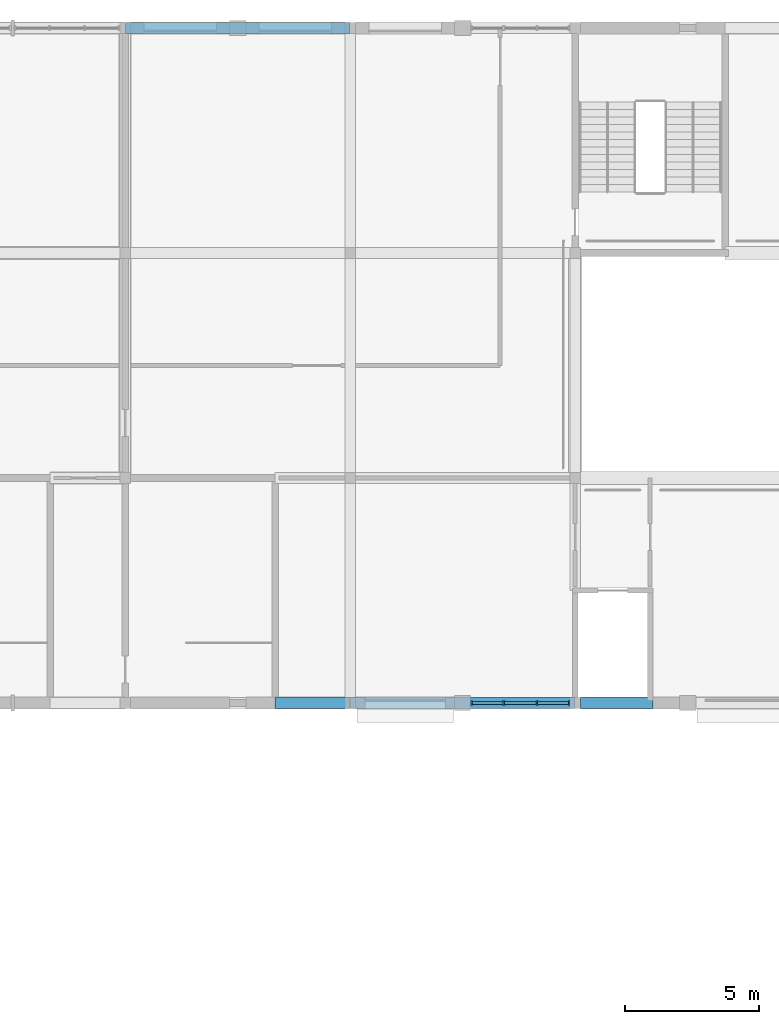
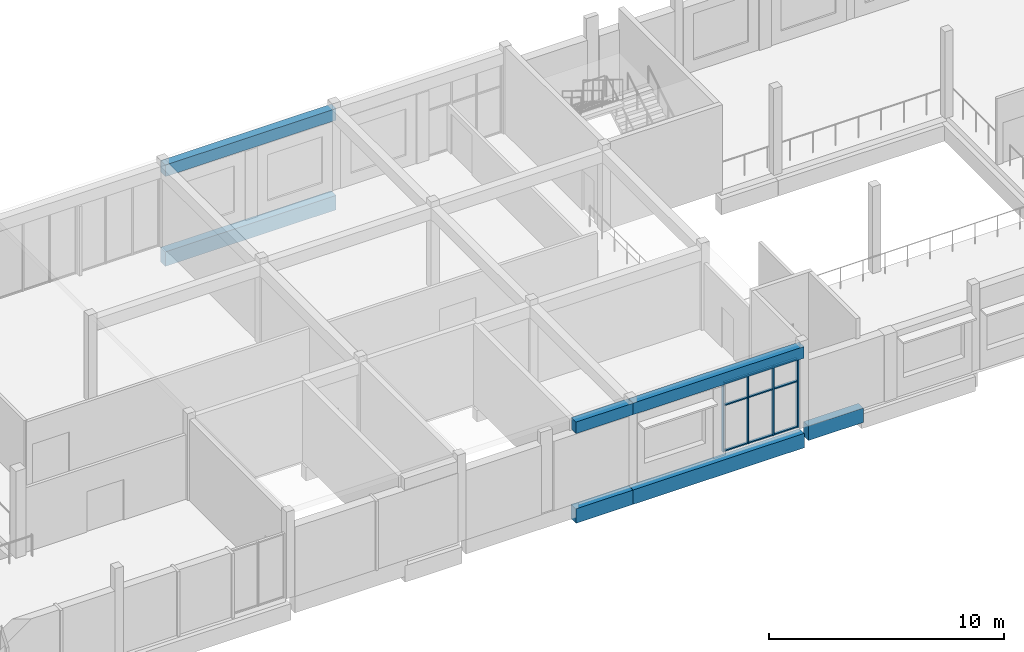
# One storey, part 13 of 38: 13 members, 7 beams, 1 element without a shape of its own.
"""IFC4 building model written with IfcOpenShell, lengths in metres."""

from ifc_helpers import new_model, si_unit, direction, frame, origin, origin_2d, place, context, subcontext, project, spatial, rectangle, extrude, material, material_profile, profile_set, type_object, element, aggregate, save


model = new_model("IFC4")

# Units and contexts
model_context = context("Model", 3, precision=1e-05, world=origin(), true_north=direction((0.0, 1.0)))
body_context = subcontext(model_context, "Body", "Model", "MODEL_VIEW")
ifc_project = project(units=[si_unit("LENGTHUNIT", "METRE"), si_unit("AREAUNIT", "SQUARE_METRE"), si_unit("VOLUMEUNIT", "CUBIC_METRE"), si_unit("PLANEANGLEUNIT", "RADIAN"), si_unit("MASSUNIT", "GRAM", prefix="KILO")], contexts=[model_context])

# Site, building, storey
site_placement = place(None, origin())
site = spatial("IfcSite", under=ifc_project, at=site_placement, CompositionType="ELEMENT")
building_placement = place(site_placement, origin())
building = spatial("IfcBuilding", under=site, at=building_placement, Name="Fescue Hill Polytechnic", CompositionType="ELEMENT")
storey_placement = place(building_placement, frame((0.0, 0.0, 18.0)))
storey = spatial("IfcBuildingStorey", under=building, at=storey_placement, Name="L04", CompositionType="ELEMENT", Elevation=18.0)

# Beams
ifc_material_1 = material(Name="Concrete 35 MPa", Category="concrete")
ifc_material_profile_1 = material_profile(ifc_material_1, rectangle(XDim=0.39990234375, YDim=0.60009765625, at=origin_2d()), Name="RC 400x600")
ifc_profile_set_1 = profile_set([ifc_material_profile_1], Name="Concrete 35 MPa")
beam_type_1 = type_object("IfcBeamType", Name="Beam RC 400x600", PredefinedType="BEAM", material=ifc_profile_set_1)
beam_1_placement = place(storey_placement, frame((58.81005859375, 134.39990234375, 3.89990234375), z_axis=(1.0, 0.0, 0.0), x_axis=(0.0, 1.0, 0.0)))
element("IfcBeam", 1, at=beam_1_placement, inside=storey, type_object=beam_type_1, Name="BR-L04-0008", PredefinedType="BEAM", context=body_context, shape_type="SweptSolid", body=[
    extrude(rectangle(XDim=0.39990234375, YDim=0.60009765625, at=origin_2d()), origin(), (0.0, 0.0, 1.0), 8.3798828125),
])
beam_2_placement = place(storey_placement, frame((64.39990234375, 109.199951171875, 3.89990234375), z_axis=(1.0, 0.0, 0.0), x_axis=(0.0, 1.0, 0.0)))
element("IfcBeam", 2, at=beam_2_placement, inside=storey, type_object=beam_type_1, Name="BR-L04-0009", PredefinedType="BEAM", context=body_context, shape_type="SweptSolid", body=[
    extrude(rectangle(XDim=0.39990234375, YDim=0.60009765625, at=origin_2d()), origin(), (0.0, 0.0, 1.0), 2.7900390625),
])
beam_3_placement = place(storey_placement, frame((67.2099609375, 109.199951171875, 3.89990234375), z_axis=(1.0, 0.0, 0.0), x_axis=(0.0, 1.0, 0.0)))
element("IfcBeam", 3, at=beam_3_placement, inside=storey, type_object=beam_type_1, Name="BR-L04-0014", PredefinedType="BEAM", context=body_context, shape_type="SweptSolid", body=[
    extrude(rectangle(XDim=0.39990234375, YDim=0.60009765625, at=origin_2d()), origin(), (0.0, 0.0, 1.0), 8.380126953125),
])
ifc_material_profile_2 = material_profile(ifc_material_1, rectangle(XDim=0.39990234375, YDim=0.75, at=origin_2d()), Name="RC 400x750")
ifc_profile_set_2 = profile_set([ifc_material_profile_2], Name="Concrete 35 MPa")
beam_type_2 = type_object("IfcBeamType", Name="Beam RC 400x750", PredefinedType="BEAM", material=ifc_profile_set_2)
beam_4_placement = place(storey_placement, frame((58.81005859375, 134.39990234375, -0.675048828125), z_axis=(1.0, 0.0, 0.0), x_axis=(0.0, 1.0, 0.0)))
element("IfcBeam", 4, at=beam_4_placement, inside=storey, type_object=beam_type_2, Name="BM-L04-0082", PredefinedType="BEAM", context=body_context, shape_type="SweptSolid", body=[
    extrude(rectangle(XDim=0.39990234375, YDim=0.75, at=origin_2d()), origin(), (0.0, 0.0, 1.0), 8.3798828125),
])
beam_5_placement = place(storey_placement, frame((64.39990234375, 109.199951171875, -0.675048828125), z_axis=(1.0, 0.0, 0.0), x_axis=(0.0, 1.0, 0.0)))
element("IfcBeam", 5, at=beam_5_placement, inside=storey, type_object=beam_type_2, Name="BM-L04-0083", PredefinedType="BEAM", context=body_context, shape_type="SweptSolid", body=[
    extrude(rectangle(XDim=0.39990234375, YDim=0.75, at=origin_2d()), origin(), (0.0, 0.0, 1.0), 2.7900390625),
])
beam_6_placement = place(storey_placement, frame((67.2099609375, 109.199951171875, -0.675048828125), z_axis=(1.0, 0.0, 0.0), x_axis=(0.0, 1.0, 0.0)))
element("IfcBeam", 6, at=beam_6_placement, inside=storey, type_object=beam_type_2, Name="BM-L04-0088", PredefinedType="BEAM", context=body_context, shape_type="SweptSolid", body=[
    extrude(rectangle(XDim=0.39990234375, YDim=0.75, at=origin_2d()), origin(), (0.0, 0.0, 1.0), 8.39013671875),
])
beam_7_placement = place(storey_placement, frame((75.800048828125, 109.199951171875, -0.375), z_axis=(1.0, 0.0, 0.0), x_axis=(0.0, 1.0, 0.0)))
element("IfcBeam", 7, at=beam_7_placement, inside=storey, type_object=beam_type_2, Name="BM-L04-0130", PredefinedType="BEAM", context=body_context, shape_type="SweptSolid", body=[
    extrude(rectangle(XDim=0.39990234375, YDim=0.75, at=origin_2d()), origin(), (0.0, 0.0, 1.0), 2.699951171875),
])

# Curtain wall, members
ifc_material_2 = material(Name="Glass", Category="glass")
curtain_wall_type = type_object("IfcCurtainWallType", Name="Curtain wall structural glazing", PredefinedType="NOTDEFINED", material=ifc_material_2)
curtain_wall_placement = place(storey_placement, origin())
curtain_wall = element("IfcCurtainWall", 8, at=curtain_wall_placement, inside=storey, type_object=curtain_wall_type, Name="CW-L04-V4b-X4", PredefinedType="NOTDEFINED")
ifc_material_3 = material(Name="Powder-coated aluminium", Category="aluminium")
ifc_material_profile_3 = material_profile(ifc_material_3, rectangle(XDim=0.159912109375, YDim=0.06005859375, at=origin_2d()), Name="Mullion aluminium 60x160")
ifc_profile_set_3 = profile_set([ifc_material_profile_3], Name="Powder-coated aluminium")
member_type_1 = type_object("IfcMemberType", Name="Mullion aluminium 60x160", PredefinedType="MULLION", material=ifc_profile_set_3)
member_1_placement = place(storey_placement, frame((71.72998046875, 109.199951171875, 0.0), z_axis=(0.0, 0.0, 1.0), x_axis=(0.0, 1.0, 0.0)))
member_1 = element("IfcMember", 9, at=member_1_placement, type_object=member_type_1, Name="CW178 mullion 1", PredefinedType="MULLION", context=body_context, shape_type="SweptSolid", body=[
    extrude(rectangle(XDim=0.159912109375, YDim=0.06005859375, at=origin_2d()), origin(), (0.0, 0.0, 1.0), 3.580078125),
])
member_2_placement = place(storey_placement, frame((72.933349609375, 109.199951171875, 0.0), z_axis=(0.0, 0.0, 1.0), x_axis=(0.0, 1.0, 0.0)))
member_2 = element("IfcMember", 10, at=member_2_placement, type_object=member_type_1, Name="CW178 mullion 2", PredefinedType="MULLION", context=body_context, shape_type="SweptSolid", body=[
    extrude(rectangle(XDim=0.159912109375, YDim=0.06005859375, at=origin_2d()), origin(), (0.0, 0.0, 1.0), 3.580078125),
])
member_3_placement = place(storey_placement, frame((74.166748046875, 109.199951171875, 0.0), z_axis=(0.0, 0.0, 1.0), x_axis=(0.0, 1.0, 0.0)))
member_3 = element("IfcMember", 11, at=member_3_placement, type_object=member_type_1, Name="CW178 mullion 3", PredefinedType="MULLION", context=body_context, shape_type="SweptSolid", body=[
    extrude(rectangle(XDim=0.159912109375, YDim=0.06005859375, at=origin_2d()), origin(), (0.0, 0.0, 1.0), 3.580078125),
])
member_4_placement = place(storey_placement, frame((75.3701171875, 109.199951171875, 0.0), z_axis=(0.0, 0.0, 1.0), x_axis=(0.0, 1.0, 0.0)))
member_4 = element("IfcMember", 12, at=member_4_placement, type_object=member_type_1, Name="CW178 mullion 4", PredefinedType="MULLION", context=body_context, shape_type="SweptSolid", body=[
    extrude(rectangle(XDim=0.159912109375, YDim=0.06005859375, at=origin_2d()), origin(), (0.0, 0.0, 1.0), 3.580078125),
])
ifc_material_profile_4 = material_profile(ifc_material_3, rectangle(XDim=0.1201171875, YDim=0.06005859375, at=origin_2d()), Name="Transom aluminium 60x120")
ifc_profile_set_4 = profile_set([ifc_material_profile_4], Name="Powder-coated aluminium")
member_type_2 = type_object("IfcMemberType", Name="Transom aluminium 60x120", PredefinedType="USERDEFINED", material=ifc_profile_set_4)
member_5_placement = place(storey_placement, frame((71.760009765625, 109.199951171875, 0.030029296875), z_axis=(1.0, 0.0, 0.0), x_axis=(0.0, 1.0, 0.0)))
member_5 = element("IfcMember", 13, at=member_5_placement, type_object=member_type_2, Name="CW178 transom 1.1", ObjectType="TRANSOM", PredefinedType="USERDEFINED", context=body_context, shape_type="SweptSolid", body=[
    extrude(rectangle(XDim=0.1201171875, YDim=0.06005859375, at=origin_2d()), origin(), (0.0, 0.0, 1.0), 1.143310546875),
])
member_6_placement = place(storey_placement, frame((71.760009765625, 109.199951171875, 2.39990234375), z_axis=(1.0, 0.0, 0.0), x_axis=(0.0, 1.0, 0.0)))
member_6 = element("IfcMember", 14, at=member_6_placement, type_object=member_type_2, Name="CW178 transom 1.2", ObjectType="TRANSOM", PredefinedType="USERDEFINED", context=body_context, shape_type="SweptSolid", body=[
    extrude(rectangle(XDim=0.1201171875, YDim=0.06005859375, at=origin_2d()), origin(), (0.0, 0.0, 1.0), 1.143310546875),
])
member_7_placement = place(storey_placement, frame((71.760009765625, 109.199951171875, 3.550048828125), z_axis=(1.0, 0.0, 0.0), x_axis=(0.0, 1.0, 0.0)))
member_7 = element("IfcMember", 15, at=member_7_placement, type_object=member_type_2, Name="CW178 transom 1.3", ObjectType="TRANSOM", PredefinedType="USERDEFINED", context=body_context, shape_type="SweptSolid", body=[
    extrude(rectangle(XDim=0.1201171875, YDim=0.06005859375, at=origin_2d()), origin(), (0.0, 0.0, 1.0), 1.143310546875),
])
member_8_placement = place(storey_placement, frame((72.96337890625, 109.199951171875, 0.030029296875), z_axis=(1.0, 0.0, 0.0), x_axis=(0.0, 1.0, 0.0)))
member_8 = element("IfcMember", 16, at=member_8_placement, type_object=member_type_2, Name="CW178 transom 2.1", ObjectType="TRANSOM", PredefinedType="USERDEFINED", context=body_context, shape_type="SweptSolid", body=[
    extrude(rectangle(XDim=0.1201171875, YDim=0.06005859375, at=origin_2d()), origin(), (0.0, 0.0, 1.0), 1.17333984375),
])
member_9_placement = place(storey_placement, frame((72.96337890625, 109.199951171875, 2.39990234375), z_axis=(1.0, 0.0, 0.0), x_axis=(0.0, 1.0, 0.0)))
member_9 = element("IfcMember", 17, at=member_9_placement, type_object=member_type_2, Name="CW178 transom 2.2", ObjectType="TRANSOM", PredefinedType="USERDEFINED", context=body_context, shape_type="SweptSolid", body=[
    extrude(rectangle(XDim=0.1201171875, YDim=0.06005859375, at=origin_2d()), origin(), (0.0, 0.0, 1.0), 1.17333984375),
])
member_10_placement = place(storey_placement, frame((72.96337890625, 109.199951171875, 3.550048828125), z_axis=(1.0, 0.0, 0.0), x_axis=(0.0, 1.0, 0.0)))
member_10 = element("IfcMember", 18, at=member_10_placement, type_object=member_type_2, Name="CW178 transom 2.3", ObjectType="TRANSOM", PredefinedType="USERDEFINED", context=body_context, shape_type="SweptSolid", body=[
    extrude(rectangle(XDim=0.1201171875, YDim=0.06005859375, at=origin_2d()), origin(), (0.0, 0.0, 1.0), 1.17333984375),
])
member_11_placement = place(storey_placement, frame((74.19677734375, 109.199951171875, 0.030029296875), z_axis=(1.0, 0.0, 0.0), x_axis=(0.0, 1.0, 0.0)))
member_11 = element("IfcMember", 19, at=member_11_placement, type_object=member_type_2, Name="CW178 transom 3.1", ObjectType="TRANSOM", PredefinedType="USERDEFINED", context=body_context, shape_type="SweptSolid", body=[
    extrude(rectangle(XDim=0.1201171875, YDim=0.06005859375, at=origin_2d()), origin(), (0.0, 0.0, 1.0), 1.143310546875),
])
member_12_placement = place(storey_placement, frame((74.19677734375, 109.199951171875, 2.39990234375), z_axis=(1.0, 0.0, 0.0), x_axis=(0.0, 1.0, 0.0)))
member_12 = element("IfcMember", 20, at=member_12_placement, type_object=member_type_2, Name="CW178 transom 3.2", ObjectType="TRANSOM", PredefinedType="USERDEFINED", context=body_context, shape_type="SweptSolid", body=[
    extrude(rectangle(XDim=0.1201171875, YDim=0.06005859375, at=origin_2d()), origin(), (0.0, 0.0, 1.0), 1.143310546875),
])
member_13_placement = place(storey_placement, frame((74.19677734375, 109.199951171875, 3.550048828125), z_axis=(1.0, 0.0, 0.0), x_axis=(0.0, 1.0, 0.0)))
member_13 = element("IfcMember", 21, at=member_13_placement, type_object=member_type_2, Name="CW178 transom 3.3", ObjectType="TRANSOM", PredefinedType="USERDEFINED", context=body_context, shape_type="SweptSolid", body=[
    extrude(rectangle(XDim=0.1201171875, YDim=0.06005859375, at=origin_2d()), origin(), (0.0, 0.0, 1.0), 1.143310546875),
])
aggregate(curtain_wall, [member_1, member_2, member_3, member_4, member_5, member_6, member_7, member_8, member_9, member_10, member_11, member_12, member_13])

save(model, "model.ifc")
